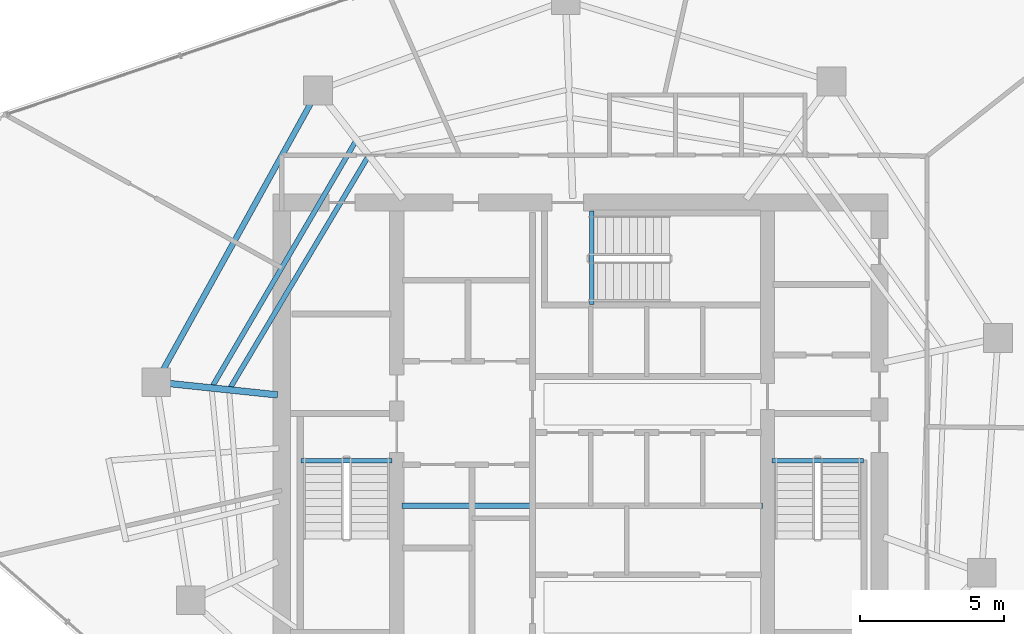
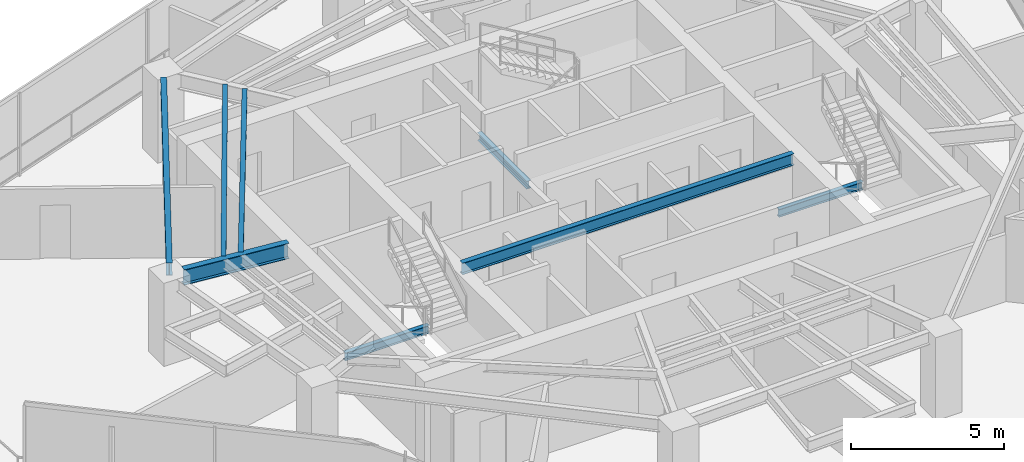
# One storey, part 7 of 20: 8 beams.
"""IFC4 building model written with IfcOpenShell, lengths in metres."""

from ifc_helpers import new_model, si_unit, direction, frame, origin, origin_2d, place, context, subcontext, project, spatial, i_section, extrude, material, material_profile, profile_set, type_object, element, save


model = new_model("IFC4")

# Units and contexts
model_context = context("Model", 3, precision=1e-05, world=origin(), true_north=direction((0.0, 1.0)))
body_context = subcontext(model_context, "Body", "Model", "MODEL_VIEW")
ifc_project = project(units=[si_unit("LENGTHUNIT", "METRE"), si_unit("AREAUNIT", "SQUARE_METRE"), si_unit("VOLUMEUNIT", "CUBIC_METRE"), si_unit("PLANEANGLEUNIT", "RADIAN"), si_unit("MASSUNIT", "GRAM", prefix="KILO")], contexts=[model_context])

# Site, building, storey
site_placement = place(None, origin())
site = spatial("IfcSite", under=ifc_project, at=site_placement, CompositionType="ELEMENT")
building_placement = place(site_placement, origin())
building = spatial("IfcBuilding", under=site, at=building_placement, Name="Qarnah Convention Tower", CompositionType="ELEMENT")
storey_placement = place(building_placement, frame((0.0, 0.0, 136.5)))
storey = spatial("IfcBuildingStorey", under=building, at=storey_placement, Name="L36", CompositionType="ELEMENT", Elevation=136.5)

# Beams
ifc_material = material(Name="Structural steel S355JR", Category="steel")
ifc_material_profile_1 = material_profile(ifc_material, i_section(OverallWidth=0.19189453125, OverallDepth=0.464111328125, WebThickness=0.010986328125, FlangeThickness=0.01806640625, at=origin_2d()), Name="W460X89")
ifc_profile_set_1 = profile_set([ifc_material_profile_1], Name="Structural steel S355JR")
beam_type_1 = type_object("IfcBeamType", Name="BM-CANT-W460A", PredefinedType="BEAM", material=ifc_profile_set_1)
beam_1_placement = place(storey_placement, frame((30.97998046875, 23.64990234375, 3.087890625), z_axis=(1.0, 0.0, 0.0), x_axis=(0.0, 1.0, 0.0)))
element("IfcBeam", 1, at=beam_1_placement, inside=storey, type_object=beam_type_1, Name="L36 beam BM-L36-KC1", PredefinedType="BEAM", context=body_context, shape_type="SweptSolid", body=[
    extrude(i_section(OverallWidth=0.19189453125, OverallDepth=0.464111328125, WebThickness=0.010986328125, FlangeThickness=0.01806640625, at=origin_2d()), origin(), (0.0, 0.0, 1.0), 12.5400390625),
])
ifc_material_profile_2 = material_profile(ifc_material, i_section(OverallWidth=0.166015625, OverallDepth=0.31201171875, WebThickness=0.007080078125, FlangeThickness=0.010986328125, at=origin_2d()), Name="W310X45")
ifc_profile_set_2 = profile_set([ifc_material_profile_2], Name="Structural steel S355JR")
beam_type_2 = type_object("IfcBeamType", Name="BM-JST-W310", PredefinedType="JOIST", material=ifc_profile_set_2)
for number, where, z_axis, x_axis, name in (
    (2, (27.4599609375, 25.217041015625, -0.156005859375), (1.0, 0.0, 0.0), (0.0, 1.0, 0.0), "L36 stair landing trimmer beam BM-L36-ST1-TRM"),
    (3, (43.860107421875, 25.217041015625, -0.156005859375), (1.0, 0.0, 0.0), (0.0, 1.0, 0.0), "L36 stair landing trimmer beam BM-L36-ST2-TRM"),
):
    element("IfcBeam", number, at=place(storey_placement, frame(where, z_axis=z_axis, x_axis=x_axis)), inside=storey, type_object=beam_type_2, Name=name, PredefinedType="BEAM", context=body_context, shape_type="SweptSolid", body=[
        extrude(i_section(OverallWidth=0.166015625, OverallDepth=0.31201171875, WebThickness=0.007080078125, FlangeThickness=0.010986328125, at=origin_2d()), origin(), (0.0, 0.0, 1.0), 3.179931640625),
    ])
beam_2_placement = place(storey_placement, frame((37.5830078125, 30.659912109375, -0.156005859375), z_axis=(0.0, 1.0, 0.0), x_axis=(-1.0, 0.0, 0.0)))
element("IfcBeam", 4, at=beam_2_placement, inside=storey, type_object=beam_type_2, Name="L36 stair landing trimmer beam BM-L36-ST3-TRM", PredefinedType="BEAM", context=body_context, shape_type="SweptSolid", body=[
    extrude(i_section(OverallWidth=0.166015625, OverallDepth=0.31201171875, WebThickness=0.007080078125, FlangeThickness=0.010986328125, at=origin_2d()), origin(), (0.0, 0.0, 1.0), 3.239990234375),
])
ifc_material_profile_3 = material_profile(ifc_material, i_section(OverallWidth=0.172119140625, OverallDepth=0.35595703125, WebThickness=0.007080078125, FlangeThickness=0.011962890625, at=origin_2d()), Name="W360X51")
ifc_profile_set_3 = profile_set([ifc_material_profile_3], Name="Structural steel S355JR")
beam_type_3 = type_object("IfcBeamType", Name="BM-JST-W360", PredefinedType="JOIST", material=ifc_profile_set_3)
beam_3_placement = place(storey_placement, frame((29.35400390625, 36.306884765625, 3.14208984375), z_axis=(-0.50462817984, -0.863336782554, 0.0), x_axis=(0.863336782554, -0.50462817984, 0.0)))
element("IfcBeam", 5, at=beam_3_placement, inside=storey, type_object=beam_type_3, Name="L36 joist BM-L36-SJST-04", PredefinedType="JOIST", context=body_context, shape_type="SweptSolid", body=[
    extrude(i_section(OverallWidth=0.172119140625, OverallDepth=0.35595703125, WebThickness=0.007080078125, FlangeThickness=0.011962890625, at=origin_2d()), origin(), (0.0, 0.0, 1.0), 9.8212890625),
])
beam_4_placement = place(storey_placement, frame((29.779052734375, 35.761962890625, 3.14208984375), z_axis=(-0.51201841679, -0.85897447044, 0.0), x_axis=(0.85897447044, -0.51201841679, 0.0)))
element("IfcBeam", 6, at=beam_4_placement, inside=storey, type_object=beam_type_3, Name="L36 joist BM-L36-IJST-04", PredefinedType="JOIST", context=body_context, shape_type="SweptSolid", body=[
    extrude(i_section(OverallWidth=0.172119140625, OverallDepth=0.35595703125, WebThickness=0.007080078125, FlangeThickness=0.011962890625, at=origin_2d()), origin(), (0.0, 0.0, 1.0), 9.312255859375),
])
ifc_material_profile_4 = material_profile(ifc_material, i_section(OverallWidth=0.22998046875, OverallDepth=0.617919921875, WebThickness=0.012939453125, FlangeThickness=0.02197265625, at=origin_2d()), Name="W610X140")
ifc_profile_set_4 = profile_set([ifc_material_profile_4], Name="Structural steel S355JR")
beam_type_4 = type_object("IfcBeamType", Name="BM-RAD-W610A", PredefinedType="BEAM", material=ifc_profile_set_4)
beam_5_placement = place(storey_placement, frame((26.65087890625, 27.509033203125, 3.010986328125), z_axis=(-0.994531015982, 0.104441649973, 0.0), x_axis=(-0.104441649973, -0.994531015982, 0.0)))
element("IfcBeam", 7, at=beam_5_placement, inside=storey, type_object=beam_type_4, Name="L36 beam BM-L36-RAD-05", PredefinedType="BEAM", context=body_context, shape_type="SweptSolid", body=[
    extrude(i_section(OverallWidth=0.22998046875, OverallDepth=0.617919921875, WebThickness=0.012939453125, FlangeThickness=0.02197265625, at=origin_2d()), origin(), (0.0, 0.0, 1.0), 3.763427734375),
])
ifc_material_profile_5 = material_profile(ifc_material, i_section(OverallWidth=0.199951171875, OverallDepth=0.5, WebThickness=0.010009765625, FlangeThickness=0.01611328125, at=origin_2d()), Name="IPE500")
ifc_profile_set_5 = profile_set([ifc_material_profile_5], Name="Structural steel S355JR")
beam_type_5 = type_object("IfcBeamType", Name="BM-SPN-IPE500", PredefinedType="SPANDREL", material=ifc_profile_set_5)
beam_6_placement = place(storey_placement, frame((27.819091796875, 37.673095703125, 3.070068359375), z_axis=(-0.48477441757, -0.874639219375, 0.0), x_axis=(0.874639219375, -0.48477441757, 0.0)))
element("IfcBeam", 8, at=beam_6_placement, inside=storey, type_object=beam_type_5, Name="L36 spandrel BM-L36-SPN-04", PredefinedType="SPANDREL", context=body_context, shape_type="SweptSolid", body=[
    extrude(i_section(OverallWidth=0.199951171875, OverallDepth=0.5, WebThickness=0.010009765625, FlangeThickness=0.01611328125, at=origin_2d()), origin(), (0.0, 0.0, 1.0), 10.623779296875),
])

save(model, "model.ifc")
